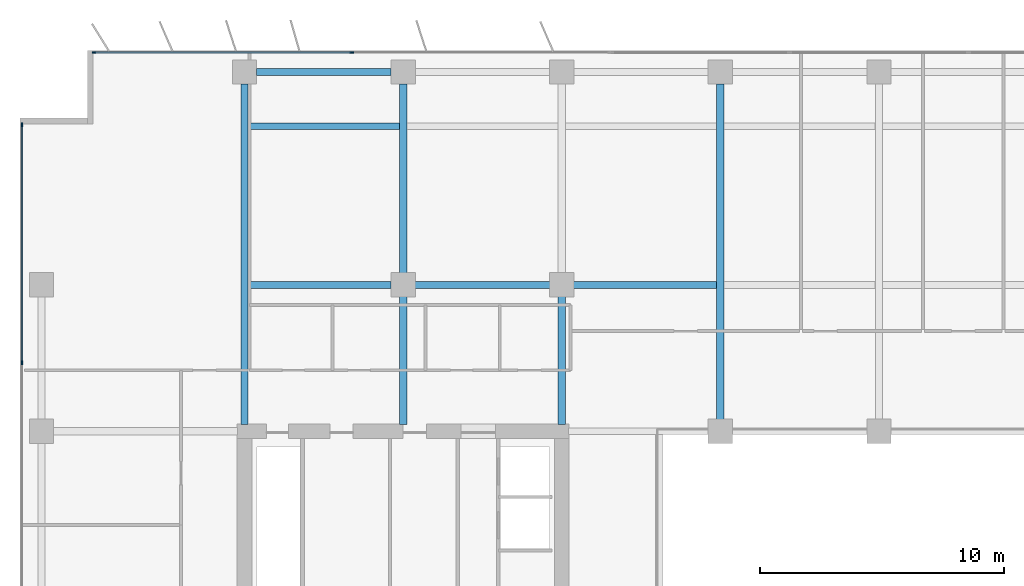
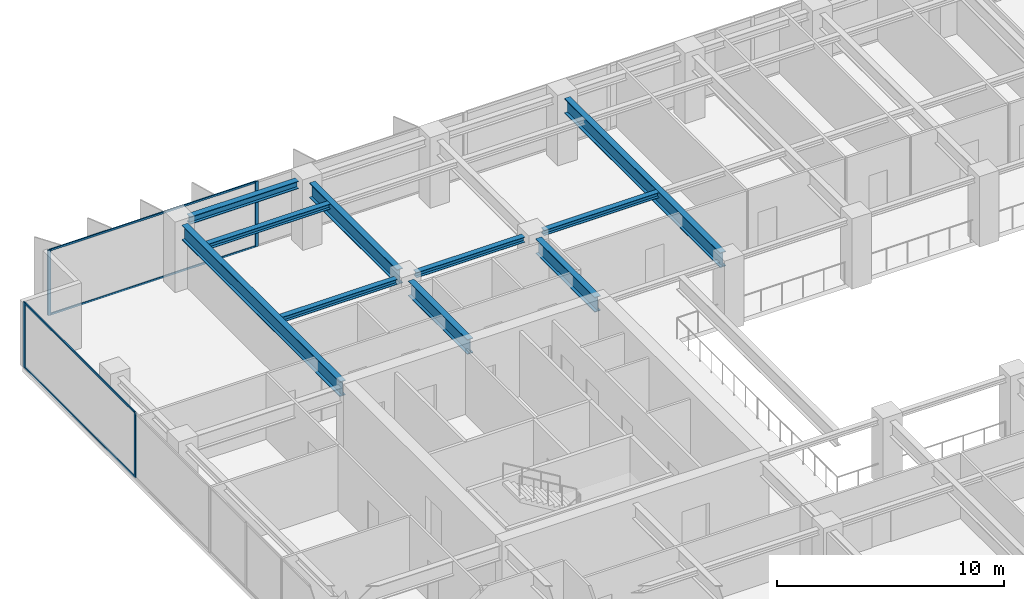
# One storey, part 8 of 22: 10 beams, 8 members, 2 elements without a shape of their own.
"""IFC4 building model written with IfcOpenShell, lengths in metres."""

from ifc_helpers import new_model, si_unit, direction, frame, origin, origin_2d, place, context, subcontext, project, spatial, rectangle, i_section, extrude, material, layer, layer_set, material_profile, profile_set, type_object, element, aggregate, save


model = new_model("IFC4")

# Units and contexts
model_context = context("Model", 3, precision=1e-05, world=origin(), true_north=direction((0.0, 1.0)))
body_context = subcontext(model_context, "Body", "Model", "MODEL_VIEW")
ifc_project = project(units=[si_unit("LENGTHUNIT", "METRE"), si_unit("AREAUNIT", "SQUARE_METRE"), si_unit("VOLUMEUNIT", "CUBIC_METRE"), si_unit("PLANEANGLEUNIT", "RADIAN"), si_unit("MASSUNIT", "GRAM", prefix="KILO")], contexts=[model_context])

# Site, building, storey
site_placement = place(None, origin())
site = spatial("IfcSite", under=ifc_project, at=site_placement, CompositionType="ELEMENT")
building_placement = place(site_placement, origin())
building = spatial("IfcBuilding", under=site, at=building_placement, Name="Putna Gate Headquarters", CompositionType="ELEMENT")
storey_placement = place(building_placement, frame((0.0, 0.0, 193.60009765625)))
storey = spatial("IfcBuildingStorey", under=building, at=storey_placement, Name="L48", CompositionType="ELEMENT", Elevation=193.60009765625)

# Beams
ifc_material_1 = material(Name="Steel S355J2", Category="steel")
ifc_material_profile_1 = material_profile(ifc_material_1, i_section(OverallWidth=0.300048828125, OverallDepth=0.800048828125, WebThickness=0.017578125, FlangeThickness=0.032958984375, at=origin_2d()), Name="Steel S355J2")
ifc_profile_set_1 = profile_set([ifc_material_profile_1], Name="Steel S355J2")
beam_type_1 = type_object("IfcBeamType", Name="BM-GIRD-P-HEB800", PredefinedType="USERDEFINED", material=ifc_profile_set_1)
beam_1_placement = place(storey_placement, frame((13.0, 33.284912109375, 3.119873046875), z_axis=(0.0, 1.0, 0.0), x_axis=(-1.0, 0.0, 0.0)))
element("IfcBeam", 1, at=beam_1_placement, inside=storey, type_object=beam_type_1, Name="L48 North Primary Girder X13", ObjectType="GIRDER", PredefinedType="USERDEFINED", context=body_context, shape_type="SweptSolid", body=[
    extrude(i_section(OverallWidth=0.300048828125, OverallDepth=0.800048828125, WebThickness=0.017578125, FlangeThickness=0.032958984375, at=origin_2d()), origin(), (0.0, 0.0, 1.0), 13.947021484375),
])
beam_2_placement = place(storey_placement, frame((19.5, 33.284912109375, 3.119873046875), z_axis=(0.0, 1.0, 0.0), x_axis=(-1.0, 0.0, 0.0)))
element("IfcBeam", 2, at=beam_2_placement, inside=storey, type_object=beam_type_1, Name="L48 North Primary Girder X19-1", ObjectType="GIRDER", PredefinedType="USERDEFINED", context=body_context, shape_type="SweptSolid", body=[
    extrude(i_section(OverallWidth=0.300048828125, OverallDepth=0.800048828125, WebThickness=0.017578125, FlangeThickness=0.032958984375, at=origin_2d()), origin(), (0.0, 0.0, 1.0), 5.22705078125),
])
beam_3_placement = place(storey_placement, frame((19.5, 39.488037109375, 3.119873046875), z_axis=(0.0, 1.0, 0.0), x_axis=(-1.0, 0.0, 0.0)))
element("IfcBeam", 3, at=beam_3_placement, inside=storey, type_object=beam_type_1, Name="L48 North Primary Girder X19-2", ObjectType="GIRDER", PredefinedType="USERDEFINED", context=body_context, shape_type="SweptSolid", body=[
    extrude(i_section(OverallWidth=0.300048828125, OverallDepth=0.800048828125, WebThickness=0.017578125, FlangeThickness=0.032958984375, at=origin_2d()), origin(), (0.0, 0.0, 1.0), 7.743896484375),
])
beam_4_placement = place(storey_placement, frame((26.0, 33.284912109375, 3.119873046875), z_axis=(0.0, 1.0, 0.0), x_axis=(-1.0, 0.0, 0.0)))
element("IfcBeam", 4, at=beam_4_placement, inside=storey, type_object=beam_type_1, Name="L48 North Primary Girder X26-1", ObjectType="GIRDER", PredefinedType="USERDEFINED", context=body_context, shape_type="SweptSolid", body=[
    extrude(i_section(OverallWidth=0.300048828125, OverallDepth=0.800048828125, WebThickness=0.017578125, FlangeThickness=0.032958984375, at=origin_2d()), origin(), (0.0, 0.0, 1.0), 5.22705078125),
])
beam_5_placement = place(storey_placement, frame((32.5, 33.488037109375, 3.119873046875), z_axis=(0.0, 1.0, 0.0), x_axis=(-1.0, 0.0, 0.0)))
element("IfcBeam", 5, at=beam_5_placement, inside=storey, type_object=beam_type_1, Name="L48 North Primary Girder X32", ObjectType="GIRDER", PredefinedType="USERDEFINED", context=body_context, shape_type="SweptSolid", body=[
    extrude(i_section(OverallWidth=0.300048828125, OverallDepth=0.800048828125, WebThickness=0.017578125, FlangeThickness=0.032958984375, at=origin_2d()), origin(), (0.0, 0.0, 1.0), 13.743896484375),
])
ifc_material_profile_2 = material_profile(ifc_material_1, i_section(OverallWidth=0.300048828125, OverallDepth=0.39990234375, WebThickness=0.013427734375, FlangeThickness=0.02392578125, at=origin_2d()), Name="Steel S355J2")
ifc_profile_set_2 = profile_set([ifc_material_profile_2], Name="Steel S355J2")
beam_type_2 = type_object("IfcBeamType", Name="BM-SPAN-Z3-HEB400", PredefinedType="SPANDREL", material=ifc_profile_set_2)
beam_6_placement = place(storey_placement, frame((13.488037109375, 47.719970703125, 3.31982421875), z_axis=(1.0, 0.0, 0.0), x_axis=(0.0, 1.0, 0.0)))
element("IfcBeam", 6, at=beam_6_placement, inside=storey, type_object=beam_type_2, Name="L48 N Perimeter Spandrel 1", PredefinedType="SPANDREL", context=body_context, shape_type="SweptSolid", body=[
    extrude(i_section(OverallWidth=0.300048828125, OverallDepth=0.39990234375, WebThickness=0.013427734375, FlangeThickness=0.02392578125, at=origin_2d()), origin(), (0.0, 0.0, 1.0), 5.52392578125),
])
ifc_material_profile_3 = material_profile(ifc_material_1, i_section(OverallWidth=0.280029296875, OverallDepth=0.280029296875, WebThickness=0.010498046875, FlangeThickness=0.01806640625, at=origin_2d()), Name="Steel S355J2")
ifc_profile_set_3 = profile_set([ifc_material_profile_3], Name="Steel S355J2")
beam_type_3 = type_object("IfcBeamType", Name="BM-SPAN-Z5-HEB280", PredefinedType="SPANDREL", material=ifc_profile_set_3)
beam_7_placement = place(storey_placement, frame((13.154052734375, 39.0, 3.3798828125), z_axis=(1.0, 0.0, 0.0), x_axis=(0.0, 1.0, 0.0)))
element("IfcBeam", 7, at=beam_7_placement, inside=storey, type_object=beam_type_3, Name="L48 North Secondary Beam 1", PredefinedType="SPANDREL", context=body_context, shape_type="SweptSolid", body=[
    extrude(i_section(OverallWidth=0.280029296875, OverallDepth=0.280029296875, WebThickness=0.010498046875, FlangeThickness=0.01806640625, at=origin_2d()), origin(), (0.0, 0.0, 1.0), 5.85791015625),
])
beam_8_placement = place(storey_placement, frame((13.154052734375, 45.5, 3.3798828125), z_axis=(1.0, 0.0, 0.0), x_axis=(0.0, 1.0, 0.0)))
element("IfcBeam", 8, at=beam_8_placement, inside=storey, type_object=beam_type_3, Name="L48 North Secondary Beam 1", PredefinedType="SPANDREL", context=body_context, shape_type="SweptSolid", body=[
    extrude(i_section(OverallWidth=0.280029296875, OverallDepth=0.280029296875, WebThickness=0.010498046875, FlangeThickness=0.01806640625, at=origin_2d()), origin(), (0.0, 0.0, 1.0), 6.19189453125),
])
beam_9_placement = place(storey_placement, frame((19.988037109375, 39.0, 3.3798828125), z_axis=(1.0, 0.0, 0.0), x_axis=(0.0, 1.0, 0.0)))
element("IfcBeam", 9, at=beam_9_placement, inside=storey, type_object=beam_type_3, Name="L48 North Secondary Beam 2", PredefinedType="SPANDREL", context=body_context, shape_type="SweptSolid", body=[
    extrude(i_section(OverallWidth=0.280029296875, OverallDepth=0.280029296875, WebThickness=0.010498046875, FlangeThickness=0.01806640625, at=origin_2d()), origin(), (0.0, 0.0, 1.0), 5.52392578125),
])
beam_10_placement = place(storey_placement, frame((26.488037109375, 39.0, 3.3798828125), z_axis=(1.0, 0.0, 0.0), x_axis=(0.0, 1.0, 0.0)))
element("IfcBeam", 10, at=beam_10_placement, inside=storey, type_object=beam_type_3, Name="L48 North Secondary Beam 3", PredefinedType="SPANDREL", context=body_context, shape_type="SweptSolid", body=[
    extrude(i_section(OverallWidth=0.280029296875, OverallDepth=0.280029296875, WebThickness=0.010498046875, FlangeThickness=0.01806640625, at=origin_2d()), origin(), (0.0, 0.0, 1.0), 5.85791015625),
])

# Curtain wall, members
ifc_material_2 = material(Name="Anodised bronze aluminium curtain wall", Category="aluminium")
ifc_layer = layer(ifc_material_2, 0.159912109375)
ifc_layer_set = layer_set([ifc_layer], Name="Anodised bronze aluminium curtain wall")
curtain_wall_type = type_object("IfcCurtainWallType", Name="CW-SYS-Z3", PredefinedType="USERDEFINED", material=ifc_layer_set)
curtain_wall_1_placement = place(storey_placement, origin())
curtain_wall_1 = element("IfcCurtainWall", 11, at=curtain_wall_1_placement, inside=storey, type_object=curtain_wall_type, Name="L48 North West Curtain Wall", ObjectType="STICK CURTAIN WALL", PredefinedType="USERDEFINED")
ifc_material_3 = material(Name="Anodised bronze aluminium EN AW-6060", Category="aluminium")
ifc_material_profile_4 = material_profile(ifc_material_3, rectangle(XDim=0.06494140625, YDim=0.159912109375, at=origin_2d()), Name="Anodised bronze aluminium EN AW-6060")
ifc_profile_set_4 = profile_set([ifc_material_profile_4], Name="Anodised bronze aluminium EN AW-6060")
member_type_1 = type_object("IfcMemberType", Name="MULL-CWM-3", PredefinedType="MULLION", material=ifc_profile_set_4)
member_1_placement = place(storey_placement, frame((6.83251953125, 48.52001953125, 0.0), z_axis=(0.0, 0.0, 1.0), x_axis=(0.0, 1.0, 0.0)))
member_1 = element("IfcMember", 12, at=member_1_placement, type_object=member_type_1, Name="CWS-3 mullion 1", PredefinedType="MULLION", context=body_context, shape_type="SweptSolid", body=[
    extrude(rectangle(XDim=0.06494140625, YDim=0.159912109375, at=origin_2d()), origin(), (0.0, 0.0, 1.0), 3.52001953125),
])
member_2_placement = place(storey_placement, frame((17.39990234375, 48.52001953125, 0.0), z_axis=(0.0, 0.0, 1.0), x_axis=(0.0, 1.0, 0.0)))
member_2 = element("IfcMember", 13, at=member_2_placement, type_object=member_type_1, Name="CWS-3 mullion 2", PredefinedType="MULLION", context=body_context, shape_type="SweptSolid", body=[
    extrude(rectangle(XDim=0.06494140625, YDim=0.159912109375, at=origin_2d()), origin(), (0.0, 0.0, 1.0), 3.52001953125),
])

curtain_wall_2_placement = place(storey_placement, origin())
curtain_wall_2 = element("IfcCurtainWall", 14, at=curtain_wall_2_placement, inside=storey, type_object=curtain_wall_type, Name="L48 West Curtain Wall", ObjectType="STICK CURTAIN WALL", PredefinedType="USERDEFINED")
member_3_placement = place(storey_placement, frame((3.8798828125, 35.800048828125, 0.0), z_axis=(0.0, 0.0, 1.0), x_axis=(-1.0, 0.0, 0.0)))
member_3 = element("IfcMember", 15, at=member_3_placement, type_object=member_type_1, Name="CWS-3 mullion 4", PredefinedType="MULLION", context=body_context, shape_type="SweptSolid", body=[
    extrude(rectangle(XDim=0.06494140625, YDim=0.159912109375, at=origin_2d()), origin(), (0.0, 0.0, 1.0), 3.52001953125),
])
member_4_placement = place(storey_placement, frame((3.8798828125, 45.5673828125, 0.0), z_axis=(0.0, 0.0, 1.0), x_axis=(-1.0, 0.0, 0.0)))
member_4 = element("IfcMember", 16, at=member_4_placement, type_object=member_type_1, Name="CWS-3 mullion 5", PredefinedType="MULLION", context=body_context, shape_type="SweptSolid", body=[
    extrude(rectangle(XDim=0.06494140625, YDim=0.159912109375, at=origin_2d()), origin(), (0.0, 0.0, 1.0), 3.52001953125),
])

# Member
ifc_material_profile_5 = material_profile(ifc_material_3, rectangle(XDim=0.06005859375, YDim=0.10009765625, at=origin_2d()), Name="Anodised bronze aluminium EN AW-6060")
ifc_profile_set_5 = profile_set([ifc_material_profile_5], Name="Anodised bronze aluminium EN AW-6060")
member_type_2 = type_object("IfcMemberType", Name="TRAN-CWT-3", PredefinedType="USERDEFINED", material=ifc_profile_set_5)
member_5_placement = place(storey_placement, frame((6.864990234375, 48.52001953125, 0.02978515625), z_axis=(1.0, 0.0, 0.0), x_axis=(0.0, 1.0, 0.0)))
member_5 = element("IfcMember", 17, at=member_5_placement, type_object=member_type_2, Name="CWS-3 transom 1.1", ObjectType="TRANSOM", PredefinedType="USERDEFINED", context=body_context, shape_type="SweptSolid", body=[
    extrude(rectangle(XDim=0.06005859375, YDim=0.10009765625, at=origin_2d()), origin(), (0.0, 0.0, 1.0), 10.50244140625),
])

member_6_placement = place(storey_placement, frame((6.864990234375, 48.52001953125, 3.489990234375), z_axis=(1.0, 0.0, 0.0), x_axis=(0.0, 1.0, 0.0)))
member_6 = element("IfcMember", 18, at=member_6_placement, type_object=member_type_2, Name="CWS-3 transom 1.2", ObjectType="TRANSOM", PredefinedType="USERDEFINED", context=body_context, shape_type="SweptSolid", body=[
    extrude(rectangle(XDim=0.06005859375, YDim=0.10009765625, at=origin_2d()), origin(), (0.0, 0.0, 1.0), 10.50244140625),
])

aggregate(curtain_wall_1, [member_1, member_2, member_5, member_6])

member_7_placement = place(storey_placement, frame((3.8798828125, 35.83251953125, 0.02978515625), z_axis=(0.0, 1.0, 0.0), x_axis=(-1.0, 0.0, 0.0)))
member_7 = element("IfcMember", 19, at=member_7_placement, type_object=member_type_2, Name="CWS-3 transom 4.1", ObjectType="TRANSOM", PredefinedType="USERDEFINED", context=body_context, shape_type="SweptSolid", body=[
    extrude(rectangle(XDim=0.06005859375, YDim=0.10009765625, at=origin_2d()), origin(), (0.0, 0.0, 1.0), 9.702392578125),
])

member_8_placement = place(storey_placement, frame((3.8798828125, 35.83251953125, 3.489990234375), z_axis=(0.0, 1.0, 0.0), x_axis=(-1.0, 0.0, 0.0)))
member_8 = element("IfcMember", 20, at=member_8_placement, type_object=member_type_2, Name="CWS-3 transom 4.2", ObjectType="TRANSOM", PredefinedType="USERDEFINED", context=body_context, shape_type="SweptSolid", body=[
    extrude(rectangle(XDim=0.06005859375, YDim=0.10009765625, at=origin_2d()), origin(), (0.0, 0.0, 1.0), 9.702392578125),
])

aggregate(curtain_wall_2, [member_3, member_4, member_7, member_8])

save(model, "model.ifc")
